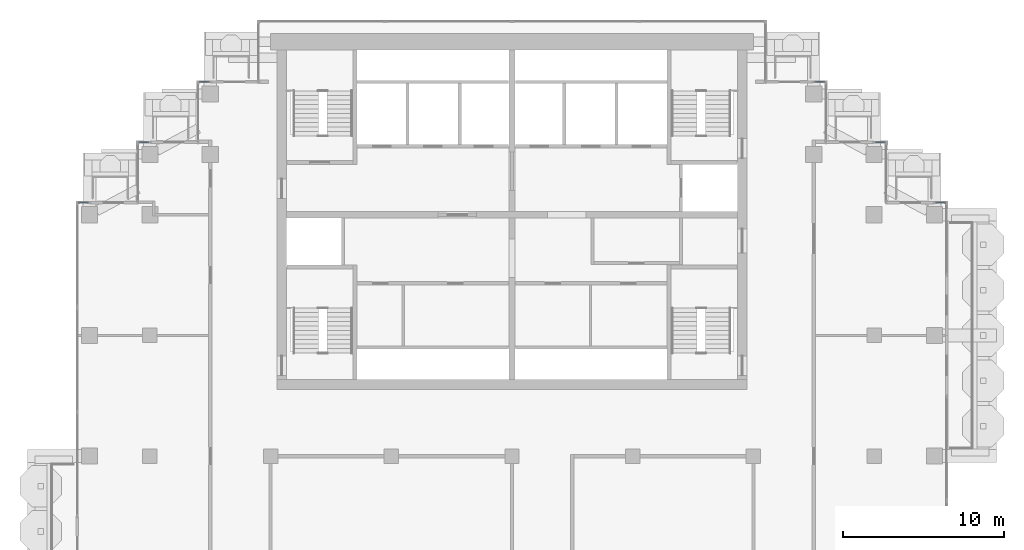
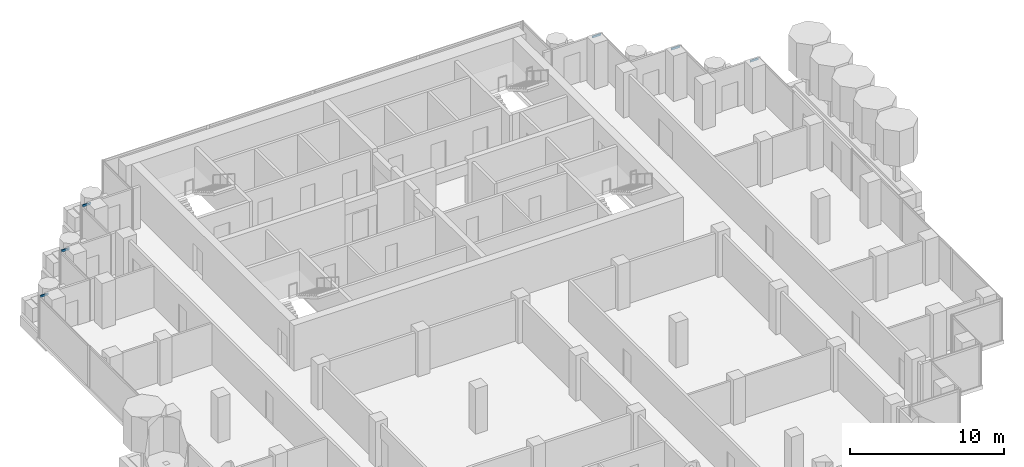
# One storey, part 7 of 18: 6 members, 6 elements without a shape of their own.
"""IFC4 building model written with IfcOpenShell, lengths in metres."""

from ifc_helpers import new_model, si_unit, direction, frame, origin, origin_2d, place, context, subcontext, project, spatial, rectangle, extrude, material, material_profile, profile_set, type_object, element, aggregate, save


model = new_model("IFC4")

# Units and contexts
model_context = context("Model", 3, precision=1e-05, world=origin(), true_north=direction((0.0, 1.0)))
body_context = subcontext(model_context, "Body", "Model", "MODEL_VIEW")
ifc_project = project(units=[si_unit("LENGTHUNIT", "METRE"), si_unit("AREAUNIT", "SQUARE_METRE"), si_unit("VOLUMEUNIT", "CUBIC_METRE"), si_unit("PLANEANGLEUNIT", "RADIAN"), si_unit("MASSUNIT", "GRAM", prefix="KILO")], contexts=[model_context])

# Site, building, storey
site_placement = place(None, origin())
site = spatial("IfcSite", under=ifc_project, at=site_placement, CompositionType="ELEMENT")
building_placement = place(site_placement, origin())
building = spatial("IfcBuilding", under=site, at=building_placement, Name="Pilkhan Gate Tower", CompositionType="ELEMENT")
storey_placement = place(building_placement, frame((0.0, 0.0, 210.300048828125)))
storey = spatial("IfcBuildingStorey", under=building, at=storey_placement, Name="L54", CompositionType="ELEMENT", Elevation=210.300048828125)

# Curtain wall, member
ifc_material_1 = material(Name="Pale anodised aluminium, clear low-iron double glazing", Category="aluminium")
curtain_wall_type = type_object("IfcCurtainWallType", Name="Office unitised curtain wall CW-O2", PredefinedType="USERDEFINED", material=ifc_material_1)
curtain_wall_1_placement = place(storey_placement, origin())
curtain_wall_1 = element("IfcCurtainWall", 1, at=curtain_wall_1_placement, inside=storey, type_object=curtain_wall_type, Name="Office unitised curtain wall CW-O2 L54 N", ObjectType="UNITISED CURTAIN WALL", PredefinedType="USERDEFINED")
ifc_material_2 = material(Name="Pale anodised aluminium", Category="aluminium")
ifc_material_profile = material_profile(ifc_material_2, rectangle(XDim=0.06494140625, YDim=0.1650390625, at=origin_2d()), Name="Transom 165x65")
ifc_profile_set = profile_set([ifc_material_profile], Name="Pale anodised aluminium")
member_type = type_object("IfcMemberType", Name="Transom CW-O2 165x65", PredefinedType="USERDEFINED", material=ifc_profile_set)
member_1_placement = place(storey_placement, frame((101.31494140625, 83.25, 3.217529296875), z_axis=(1.0, 0.0, 0.0), x_axis=(0.0, 1.0, 0.0)))
member_1 = element("IfcMember", 2, at=member_1_placement, type_object=member_type, Name="CW-O2 transom 1", ObjectType="TRANSOM", PredefinedType="USERDEFINED", context=body_context, shape_type="SweptSolid", body=[
    extrude(rectangle(XDim=0.06494140625, YDim=0.1650390625, at=origin_2d()), origin(), (0.0, 0.0, 1.0), 0.6201171875),
])
aggregate(curtain_wall_1, [member_1])

curtain_wall_2_placement = place(storey_placement, origin())
curtain_wall_2 = element("IfcCurtainWall", 3, at=curtain_wall_2_placement, inside=storey, type_object=curtain_wall_type, Name="Office unitised curtain wall CW-O2 L54 N", ObjectType="UNITISED CURTAIN WALL", PredefinedType="USERDEFINED")
member_2_placement = place(storey_placement, frame((97.56494140625, 87.0, 3.217529296875), z_axis=(1.0, 0.0, 0.0), x_axis=(0.0, 1.0, 0.0)))
member_2 = element("IfcMember", 4, at=member_2_placement, type_object=member_type, Name="CW-O2 transom 1", ObjectType="TRANSOM", PredefinedType="USERDEFINED", context=body_context, shape_type="SweptSolid", body=[
    extrude(rectangle(XDim=0.06494140625, YDim=0.1650390625, at=origin_2d()), origin(), (0.0, 0.0, 1.0), 0.6201171875),
])
aggregate(curtain_wall_2, [member_2])

curtain_wall_3_placement = place(storey_placement, origin())
curtain_wall_3 = element("IfcCurtainWall", 5, at=curtain_wall_3_placement, inside=storey, type_object=curtain_wall_type, Name="Office unitised curtain wall CW-O2 L54 N", ObjectType="UNITISED CURTAIN WALL", PredefinedType="USERDEFINED")
member_3_placement = place(storey_placement, frame((93.81494140625, 90.75, 3.217529296875), z_axis=(1.0, 0.0, 0.0), x_axis=(0.0, 1.0, 0.0)))
member_3 = element("IfcMember", 6, at=member_3_placement, type_object=member_type, Name="CW-O2 transom 1", ObjectType="TRANSOM", PredefinedType="USERDEFINED", context=body_context, shape_type="SweptSolid", body=[
    extrude(rectangle(XDim=0.06494140625, YDim=0.1650390625, at=origin_2d()), origin(), (0.0, 0.0, 1.0), 0.6201171875),
])
aggregate(curtain_wall_3, [member_3])

curtain_wall_4_placement = place(storey_placement, origin())
curtain_wall_4 = element("IfcCurtainWall", 7, at=curtain_wall_4_placement, inside=storey, type_object=curtain_wall_type, Name="Office unitised curtain wall CW-O2 L54 N", ObjectType="UNITISED CURTAIN WALL", PredefinedType="USERDEFINED")
member_4_placement = place(storey_placement, frame((55.56494140625, 90.75, 3.217529296875), z_axis=(1.0, 0.0, 0.0), x_axis=(0.0, 1.0, 0.0)))
member_4 = element("IfcMember", 8, at=member_4_placement, type_object=member_type, Name="CW-O2 transom 1", ObjectType="TRANSOM", PredefinedType="USERDEFINED", context=body_context, shape_type="SweptSolid", body=[
    extrude(rectangle(XDim=0.06494140625, YDim=0.1650390625, at=origin_2d()), origin(), (0.0, 0.0, 1.0), 0.6201171875),
])
aggregate(curtain_wall_4, [member_4])

curtain_wall_5_placement = place(storey_placement, origin())
curtain_wall_5 = element("IfcCurtainWall", 9, at=curtain_wall_5_placement, inside=storey, type_object=curtain_wall_type, Name="Office unitised curtain wall CW-O2 L54 N", ObjectType="UNITISED CURTAIN WALL", PredefinedType="USERDEFINED")
member_5_placement = place(storey_placement, frame((51.81494140625, 87.0, 3.217529296875), z_axis=(1.0, 0.0, 0.0), x_axis=(0.0, 1.0, 0.0)))
member_5 = element("IfcMember", 10, at=member_5_placement, type_object=member_type, Name="CW-O2 transom 1", ObjectType="TRANSOM", PredefinedType="USERDEFINED", context=body_context, shape_type="SweptSolid", body=[
    extrude(rectangle(XDim=0.06494140625, YDim=0.1650390625, at=origin_2d()), origin(), (0.0, 0.0, 1.0), 0.6201171875),
])
aggregate(curtain_wall_5, [member_5])

curtain_wall_6_placement = place(storey_placement, origin())
curtain_wall_6 = element("IfcCurtainWall", 11, at=curtain_wall_6_placement, inside=storey, type_object=curtain_wall_type, Name="Office unitised curtain wall CW-O2 L54 N", ObjectType="UNITISED CURTAIN WALL", PredefinedType="USERDEFINED")
member_6_placement = place(storey_placement, frame((48.06494140625, 83.25, 3.217529296875), z_axis=(1.0, 0.0, 0.0), x_axis=(0.0, 1.0, 0.0)))
member_6 = element("IfcMember", 12, at=member_6_placement, type_object=member_type, Name="CW-O2 transom 1", ObjectType="TRANSOM", PredefinedType="USERDEFINED", context=body_context, shape_type="SweptSolid", body=[
    extrude(rectangle(XDim=0.06494140625, YDim=0.1650390625, at=origin_2d()), origin(), (0.0, 0.0, 1.0), 0.6201171875),
])
aggregate(curtain_wall_6, [member_6])

save(model, "model.ifc")
